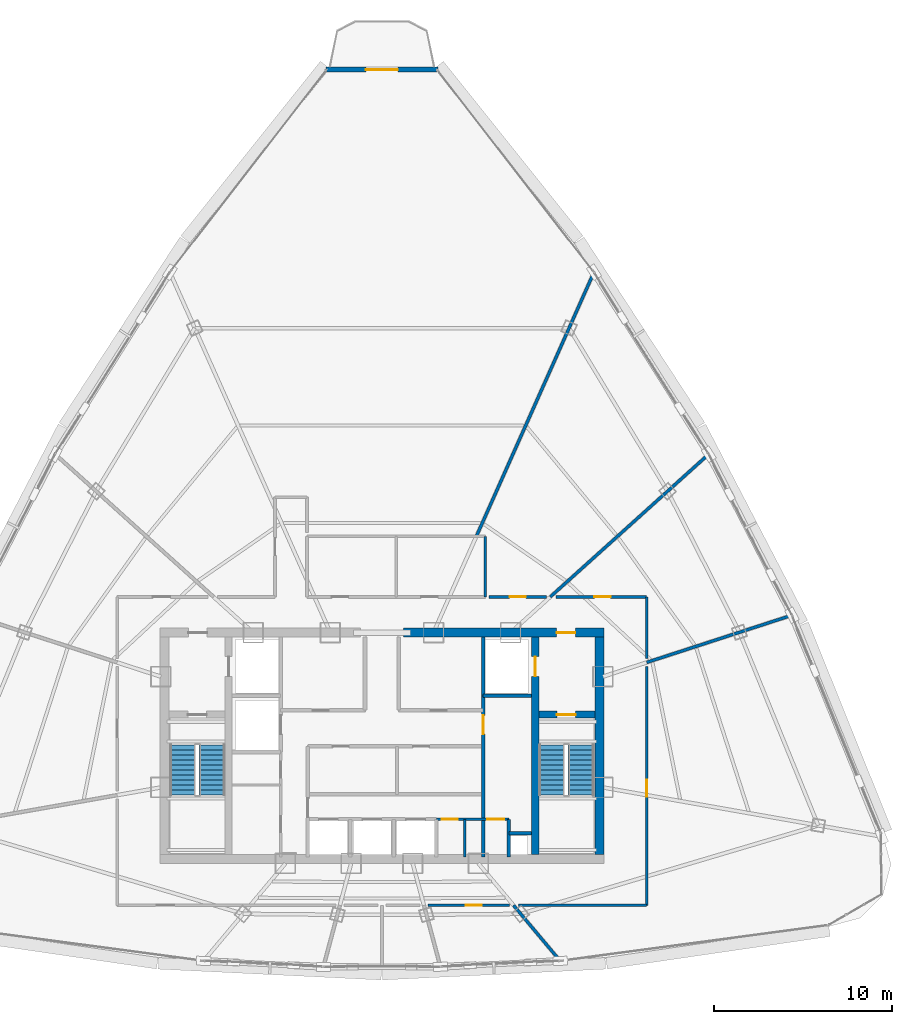
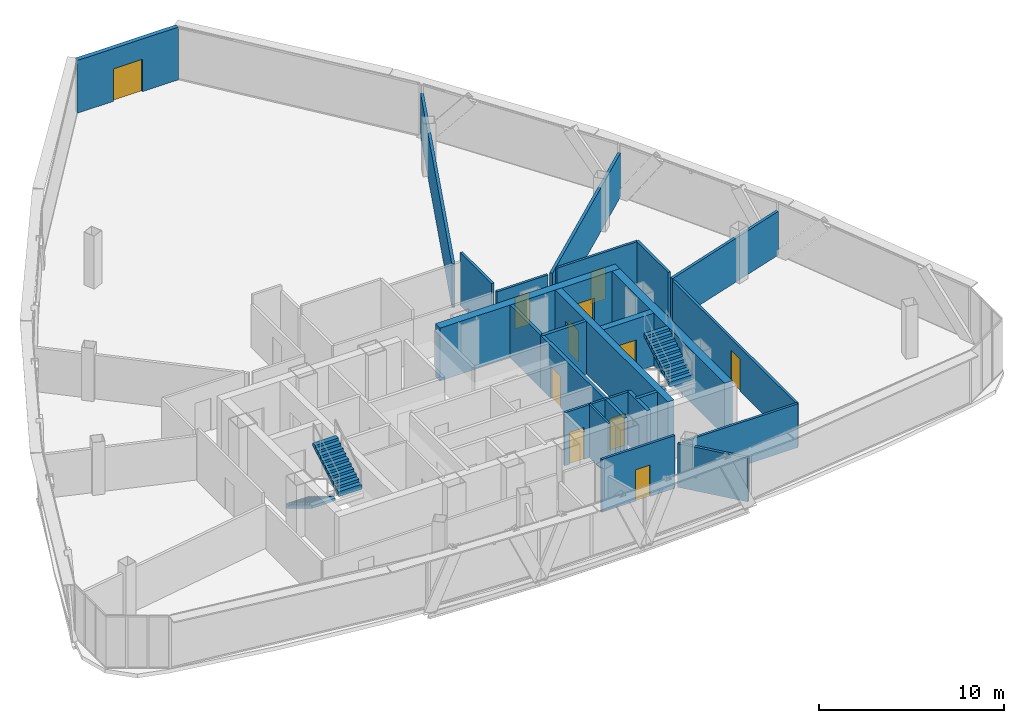
# One storey, part 24 of 28: 23 walls, 11 doors, 4 stair flights, 11 openings, 2 elements without a shape of their own.
"""IFC4 building model written with IfcOpenShell, lengths in metres."""

from ifc_helpers import new_model, si_unit, direction, frame, frame_2d, origin, origin_with_axes, place, context, subcontext, project, spatial, polyline, rectangle, outline, extrude, source, transform, mapped, material, layer, layer_set, type_object, element, fill, aggregate, save


model = new_model("IFC4")

# Units and contexts
model_context = context("Model", 3, precision=1e-05, world=origin(), true_north=direction((0.0, 1.0)))
body_context = subcontext(model_context, "Body", "Model", "MODEL_VIEW")
ifc_project = project(units=[si_unit("LENGTHUNIT", "METRE"), si_unit("AREAUNIT", "SQUARE_METRE"), si_unit("VOLUMEUNIT", "CUBIC_METRE"), si_unit("PLANEANGLEUNIT", "RADIAN"), si_unit("MASSUNIT", "GRAM", prefix="KILO"), si_unit("THERMODYNAMICTEMPERATUREUNIT", "KELVIN"), si_unit("POWERUNIT", "WATT")], contexts=[model_context])

# Site, building, storey
site_placement = place(None, origin())
site = spatial("IfcSite", under=ifc_project, at=site_placement, CompositionType="ELEMENT")
building_placement = place(site_placement, origin())
building = spatial("IfcBuilding", under=site, at=building_placement, Name="Yunzhuo Pagoda Commons", CompositionType="ELEMENT")
storey_placement = place(building_placement, frame((0.0, 0.0, 336.760009765625)))
storey = spatial("IfcBuildingStorey", under=building, at=storey_placement, Name="L84", CompositionType="ELEMENT", Elevation=336.760009765625)

# Wall, opening, door
ifc_material_1 = material(Name="Precast concrete C40", Category="concrete")
ifc_layer_1 = layer(ifc_material_1, 0.260009765625)
ifc_layer_set_1 = layer_set([ifc_layer_1], Name="Precast concrete C40")
wall_type_1 = type_object("IfcWallType", Name="W-BAL1 Corner Balcony Threshold Wall 260", PredefinedType="STANDARD", material=ifc_layer_set_1)
wall_1_placement = place(storey_placement, frame((51.146484375, 71.78125, 0.0), z_axis=(0.0, 0.0, 1.0), x_axis=(-1.0, 0.0, 0.0)))
wall_1 = element("IfcWall", 1, at=wall_1_placement, inside=storey, type_object=wall_type_1, Name="L84 corner balcony wall V3", PredefinedType="STANDARD", context=body_context, shape_type="SweptSolid", body=[
    extrude(rectangle(XDim=6.29296875, YDim=0.260009765625, at=frame_2d((3.146484375, 0.0))), origin(), (0.0, 0.0, 1.0), 3.489990234375),
])
opening_1_placement = place(wall_1_placement, frame((2.246337890625, 0.0, 0.0)))
opening_1 = element("IfcOpeningElement", 2, at=opening_1_placement, cuts=wall_1, Name="Opening D-BAL1", PredefinedType="OPENING", context=body_context, shape_type="SweptSolid", body=[
    extrude(rectangle(XDim=1.800048828125, YDim=2.14990234375, at=frame_2d((0.89990234375, 1.074951171875))), frame((0.0, 0.14013671875, 0.0), z_axis=(0.0, -1.0, 0.0), x_axis=(1.0, 0.0, 0.0)), (0.0, 0.0, 1.0), 0.280029296875),
])
ifc_material_2 = material(Name="Anodized aluminium frame and tempered glazed leaf", Category="aluminium")
door_type_1 = type_object("IfcDoorType", Name="D-BAL1 Corner Balcony Sliding Glazed Door 1800x2150", OperationType="DOUBLE_DOOR_SLIDING", PredefinedType="DOOR", material=ifc_material_2)
shared_shape_1 = source(origin(), body_context, "Body", "SweptSolid", [
    extrude(rectangle(XDim=1.800048828125, YDim=2.14990234375, at=frame_2d((0.89990234375, 1.074951171875))), frame((0.0, 0.02490234375, 0.0), z_axis=(0.0, -1.0, 0.0), x_axis=(1.0, 0.0, 0.0)), (0.0, 0.0, 1.0), 0.050048828125),
])
door_1_placement = place(opening_1_placement, origin_with_axes())
door_1 = element("IfcDoor", 3, at=door_1_placement, inside=storey, type_object=door_type_1, Name="L84 corner balcony sliding door V3", OperationType="DOUBLE_DOOR_SLIDING", OverallHeight=2.14990234375, OverallWidth=1.800048828125, PredefinedType="DOOR", context=body_context, shape_type="MappedRepresentation", body=[
    mapped(shared_shape_1, transform((0.0, 0.0, 0.0), scale=1.0)),
])
fill(opening_1, door_1)

ifc_material_3 = material(Name="Concrete C50", Category="concrete")
ifc_layer_2 = layer(ifc_material_3, 0.5)
ifc_layer_set_2 = layer_set([ifc_layer_2], Name="Concrete C50")
wall_type_2 = type_object("IfcWallType", Name="W-C03 Upper Core Shear Wall 500", PredefinedType="SHEAR", material=ifc_layer_set_2)
wall_2_placement = place(storey_placement, frame((49.199951171875, 40.199951171875, 0.0), z_axis=(0.0, 0.0, 1.0), x_axis=(1.0, 0.0, 0.0)))
wall_2 = element("IfcWall", 4, at=wall_2_placement, inside=storey, type_object=wall_type_2, Name="L84 core shear wall NE", PredefinedType="SHEAR", context=body_context, shape_type="SweptSolid", body=[
    extrude(rectangle(XDim=11.25, YDim=0.5, at=frame_2d((5.625, 0.0))), origin(), (0.0, 0.0, 1.0), 3.489990234375),
])
opening_2_placement = place(wall_2_placement, frame((8.60009765625, 0.0, 0.0)))
opening_2 = element("IfcOpeningElement", 5, at=opening_2_placement, cuts=wall_2, Name="Opening D-02", PredefinedType="OPENING", context=body_context, shape_type="SweptSolid", body=[
    extrude(rectangle(XDim=1.050048828125, YDim=2.10009765625, at=frame_2d((0.52490234375, 1.050048828125))), frame((0.0, 0.260009765625, 0.0), z_axis=(0.0, -1.0, 0.0), x_axis=(1.0, 0.0, 0.0)), (0.0, 0.0, 1.0), 0.52001953125),
])
ifc_material_4 = material(Name="Galvanized fire-resisting metal leaf")
door_type_2 = type_object("IfcDoorType", Name="D-02 Firefighting Lobby & Refuge Fire Door 1050x2100", OperationType="NOTDEFINED", PredefinedType="DOOR", material=ifc_material_4)
shared_shape_2 = source(origin(), body_context, "Body", "SweptSolid", [
    extrude(rectangle(XDim=1.050048828125, YDim=2.10009765625, at=frame_2d((0.52490234375, 1.050048828125))), frame((0.0, 0.02490234375, 0.0), z_axis=(0.0, -1.0, 0.0), x_axis=(1.0, 0.0, 0.0)), (0.0, 0.0, 1.0), 0.050048828125),
])
door_2_placement = place(opening_2_placement, frame((1.050048828125, 0.0, 0.0), z_axis=(0.0, 0.0, 1.0), x_axis=(-1.0, 0.0, 0.0)))
door_2 = element("IfcDoor", 6, at=door_2_placement, inside=storey, type_object=door_type_2, Name="L84 Firefighting Lobby 2 fire door", OperationType="SINGLE_SWING_RIGHT", OverallHeight=2.10009765625, OverallWidth=1.050048828125, PredefinedType="DOOR", context=body_context, shape_type="MappedRepresentation", body=[
    mapped(shared_shape_2, transform((0.0, 0.0, 0.0), scale=1.0)),
])
fill(opening_2, door_2)

# Wall
wall_3_placement = place(storey_placement, frame((60.199951171875, 27.75, 0.0), z_axis=(0.0, 0.0, 1.0), x_axis=(0.0, 1.0, 0.0)))
element("IfcWall", 7, at=wall_3_placement, inside=storey, type_object=wall_type_2, Name="L84 core shear wall E", PredefinedType="SHEAR", context=body_context, shape_type="SweptSolid", body=[
    extrude(rectangle(XDim=12.199951171875, YDim=0.5, at=frame_2d((6.10009765625, 0.0))), origin(), (0.0, 0.0, 1.0), 3.489990234375),
])

# Wall, openings, doors
ifc_material_5 = material(Name="Gypsum plasterboard on acoustic stud")
ifc_layer_3 = layer(ifc_material_5, 0.14990234375)
ifc_layer_set_3 = layer_set([ifc_layer_3], Name="Gypsum plasterboard on acoustic stud")
wall_type_3 = type_object("IfcWallType", Name="W-COR3 High-Zone Rated Corridor Wall 150", PredefinedType="PARTITIONING", material=ifc_layer_set_3)
wall_4_placement = place(storey_placement, frame((51.050048828125, 29.719970703125, 0.0), z_axis=(0.0, 0.0, 1.0), x_axis=(1.0, 0.0, 0.0)))
wall_4 = element("IfcWall", 8, at=wall_4_placement, inside=storey, type_object=wall_type_3, Name="L84 interior wall IW-L84-CSES", PredefinedType="PARTITIONING", context=body_context, shape_type="SweptSolid", body=[
    extrude(rectangle(XDim=4.070068359375, YDim=0.14990234375, at=frame_2d((2.03515625, 0.0))), origin(), (0.0, 0.0, 1.0), 3.489990234375),
])
opening_3_placement = place(wall_4_placement, frame((0.300048828125, 0.0, 0.0)))
opening_3 = element("IfcOpeningElement", 9, at=opening_3_placement, cuts=wall_4, Name="Opening D-03", PredefinedType="OPENING", context=body_context, shape_type="SweptSolid", body=[
    extrude(rectangle(XDim=0.89990234375, YDim=2.10009765625, at=frame_2d((0.449951171875, 1.050048828125))), frame((0.0, 0.0849609375, 0.0), z_axis=(0.0, -1.0, 0.0), x_axis=(1.0, 0.0, 0.0)), (0.0, 0.0, 1.0), 0.169921875),
])
opening_4_placement = place(wall_4_placement, frame((2.860107421875, 0.0, 0.0)))
opening_4 = element("IfcOpeningElement", 10, at=opening_4_placement, cuts=wall_4, Name="Opening D-11", PredefinedType="OPENING", context=body_context, shape_type="SweptSolid", body=[
    extrude(rectangle(XDim=0.93994140625, YDim=2.10009765625, at=frame_2d((0.469970703125, 1.050048828125))), frame((0.0, 0.0849609375, 0.0), z_axis=(0.0, -1.0, 0.0), x_axis=(1.0, 0.0, 0.0)), (0.0, 0.0, 1.0), 0.169921875),
])
door_type_3 = type_object("IfcDoorType", Name="D-03 Core Service Fire Door 900x2100", OperationType="NOTDEFINED", PredefinedType="DOOR", material=ifc_material_4)
shared_shape_3 = source(origin(), body_context, "Body", "SweptSolid", [
    extrude(rectangle(XDim=0.89990234375, YDim=2.10009765625, at=frame_2d((0.449951171875, 1.050048828125))), frame((0.0, 0.02490234375, 0.0), z_axis=(0.0, -1.0, 0.0), x_axis=(1.0, 0.0, 0.0)), (0.0, 0.0, 1.0), 0.050048828125),
])
door_3_placement = place(opening_3_placement, origin_with_axes())
door_3 = element("IfcDoor", 11, at=door_3_placement, inside=storey, type_object=door_type_3, Name="L84 cleaner door", OperationType="SINGLE_SWING_LEFT", OverallHeight=2.10009765625, OverallWidth=0.89990234375, PredefinedType="DOOR", context=body_context, shape_type="MappedRepresentation", body=[
    mapped(shared_shape_3, transform((0.0, 0.0, 0.0), scale=1.0)),
])
fill(opening_3, door_3)
door_type_4 = type_object("IfcDoorType", Name="D-11 Accessible Washroom Fire Door 940x2100", OperationType="NOTDEFINED", PredefinedType="DOOR", material=ifc_material_4)
shared_shape_4 = source(origin(), body_context, "Body", "SweptSolid", [
    extrude(rectangle(XDim=0.93994140625, YDim=2.10009765625, at=frame_2d((0.469970703125, 1.050048828125))), frame((0.0, 0.02490234375, 0.0), z_axis=(0.0, -1.0, 0.0), x_axis=(1.0, 0.0, 0.0)), (0.0, 0.0, 1.0), 0.050048828125),
])
door_4_placement = place(opening_4_placement, origin_with_axes())
door_4 = element("IfcDoor", 12, at=door_4_placement, inside=storey, type_object=door_type_4, Name="L84 core WC door", OperationType="SINGLE_SWING_RIGHT", OverallHeight=2.10009765625, OverallWidth=0.93994140625, PredefinedType="DOOR", context=body_context, shape_type="MappedRepresentation", body=[
    mapped(shared_shape_4, transform((0.0, 0.0, 0.0), scale=1.0)),
])
fill(opening_4, door_4)

# Wall
wall_5_placement = place(storey_placement, frame((53.800048828125, 42.199951171875, 0.0), z_axis=(0.0, 0.0, 1.0), x_axis=(0.0, 1.0, 0.0)))
element("IfcWall", 13, at=wall_5_placement, inside=storey, type_object=wall_type_3, Name="L84 interior wall IW-L84-TFEE", PredefinedType="PARTITIONING", context=body_context, shape_type="SweptSolid", body=[
    extrude(rectangle(XDim=3.400146484375, YDim=0.14990234375, at=frame_2d((1.7001953125, 0.0))), origin(), (0.0, 0.0, 1.0), 3.489990234375),
])

# Wall, opening, door
wall_6_placement = place(storey_placement, frame((54.02001953125, 42.199951171875, 0.0), z_axis=(0.0, 0.0, 1.0), x_axis=(1.0, 0.0, 0.0)))
wall_6 = element("IfcWall", 14, at=wall_6_placement, inside=storey, type_object=wall_type_3, Name="L84 interior wall IW-L84-CWL09", PredefinedType="PARTITIONING", context=body_context, shape_type="SweptSolid", body=[
    extrude(rectangle(XDim=3.200439453125, YDim=0.14990234375, at=frame_2d((1.60009765625, 0.0))), origin(), (0.0, 0.0, 1.0), 2.889892578125),
])
opening_5_placement = place(wall_6_placement, frame((1.14013671875, 0.0, 0.0)))
opening_5 = element("IfcOpeningElement", 15, at=opening_5_placement, cuts=wall_6, Name="Opening D-04", PredefinedType="OPENING", context=body_context, shape_type="SweptSolid", body=[
    extrude(rectangle(XDim=0.919921875, YDim=2.10009765625, at=frame_2d((0.4599609375, 1.050048828125))), frame((0.0, 0.0849609375, 0.0), z_axis=(0.0, -1.0, 0.0), x_axis=(1.0, 0.0, 0.0)), (0.0, 0.0, 1.0), 0.169921875),
])
ifc_material_6 = material(Name="Powder-coated aluminium and timber acoustic leaf", Category="wood")
door_type_5 = type_object("IfcDoorType", Name="D-04 Bedroom & Study Interior Door 920x2100", OperationType="NOTDEFINED", PredefinedType="DOOR", material=ifc_material_6)
shared_shape_5 = source(origin(), body_context, "Body", "SweptSolid", [
    extrude(rectangle(XDim=0.919921875, YDim=2.10009765625, at=frame_2d((0.4599609375, 1.050048828125))), frame((0.0, 0.02490234375, 0.0), z_axis=(0.0, -1.0, 0.0), x_axis=(1.0, 0.0, 0.0)), (0.0, 0.0, 1.0), 0.050048828125),
])
door_5_placement = place(opening_5_placement, origin_with_axes())
door_5 = element("IfcDoor", 16, at=door_5_placement, inside=storey, type_object=door_type_5, Name="L84 seminar room 02 door", OperationType="SINGLE_SWING_LEFT", OverallHeight=2.10009765625, OverallWidth=0.919921875, PredefinedType="DOOR", context=body_context, shape_type="MappedRepresentation", body=[
    mapped(shared_shape_5, transform((0.0, 0.0, 0.0), scale=1.0)),
])
fill(opening_5, door_5)

wall_7_placement = place(storey_placement, frame((57.76904296875, 42.199951171875, 0.0), z_axis=(0.0, 0.0, 1.0), x_axis=(1.0, 0.0, 0.0)))
wall_7 = element("IfcWall", 17, at=wall_7_placement, inside=storey, type_object=wall_type_3, Name="L84 interior wall IW-L84-CWL10", PredefinedType="PARTITIONING", context=body_context, shape_type="SweptSolid", body=[
    extrude(rectangle(XDim=5.0810546875, YDim=0.14990234375, at=frame_2d((2.54052734375, 0.0))), origin(), (0.0, 0.0, 1.0), 3.139892578125),
])
opening_6_placement = place(wall_7_placement, frame((2.14599609375, 0.0, 0.0)))
opening_6 = element("IfcOpeningElement", 18, at=opening_6_placement, cuts=wall_7, Name="Opening D-04", PredefinedType="OPENING", context=body_context, shape_type="SweptSolid", body=[
    extrude(rectangle(XDim=0.919921875, YDim=2.10009765625, at=frame_2d((0.4599609375, 1.050048828125))), frame((0.0, 0.0849609375, 0.0), z_axis=(0.0, -1.0, 0.0), x_axis=(1.0, 0.0, 0.0)), (0.0, 0.0, 1.0), 0.169921875),
])
door_6_placement = place(opening_6_placement, origin_with_axes())
door_6 = element("IfcDoor", 19, at=door_6_placement, inside=storey, type_object=door_type_5, Name="L84 seminar room 01 door", OperationType="SINGLE_SWING_RIGHT", OverallHeight=2.10009765625, OverallWidth=0.919921875, PredefinedType="DOOR", context=body_context, shape_type="MappedRepresentation", body=[
    mapped(shared_shape_5, transform((0.0, 0.0, 0.0), scale=1.0)),
])
fill(opening_6, door_6)

# Wall
wall_8_placement = place(storey_placement, frame((62.85009765625, 42.199951171875, 0.0), z_axis=(0.0, 0.0, 1.0), x_axis=(0.0, -1.0, 0.0)))
element("IfcWall", 20, at=wall_8_placement, inside=storey, type_object=wall_type_3, Name="L84 interior wall IW-L84-CWL11", PredefinedType="PARTITIONING", context=body_context, shape_type="SweptSolid", body=[
    extrude(rectangle(XDim=3.443603515625, YDim=0.14990234375, at=frame_2d((1.7216796875, 0.0))), origin(), (0.0, 0.0, 1.0), 3.139892578125),
])

# Wall, opening, door
wall_9_placement = place(storey_placement, frame((62.85009765625, 38.305419921875, 0.0), z_axis=(0.0, 0.0, 1.0), x_axis=(0.0, -1.0, 0.0)))
wall_9 = element("IfcWall", 21, at=wall_9_placement, inside=storey, type_object=wall_type_3, Name="L84 interior wall IW-L84-CWL12", PredefinedType="PARTITIONING", context=body_context, shape_type="SweptSolid", body=[
    extrude(rectangle(XDim=13.405517578125, YDim=0.14990234375, at=frame_2d((6.70263671875, 0.0))), origin(), (0.0, 0.0, 1.0), 2.889892578125),
])
opening_7_placement = place(wall_9_placement, frame((6.347900390625, 0.0, 0.0)))
opening_7 = element("IfcOpeningElement", 22, at=opening_7_placement, cuts=wall_9, Name="Opening D-08", PredefinedType="OPENING", context=body_context, shape_type="SweptSolid", body=[
    extrude(rectangle(XDim=0.97998046875, YDim=2.1201171875, at=frame_2d((0.489990234375, 1.06005859375))), frame((0.0, 0.0849609375, 0.0), z_axis=(0.0, -1.0, 0.0), x_axis=(1.0, 0.0, 0.0)), (0.0, 0.0, 1.0), 0.169921875),
])
door_type_6 = type_object("IfcDoorType", Name="D-08 High-Zone Suite Entrance Fire Door 980x2120", OperationType="NOTDEFINED", PredefinedType="DOOR", material=ifc_material_4)
shared_shape_6 = source(origin(), body_context, "Body", "SweptSolid", [
    extrude(rectangle(XDim=0.97998046875, YDim=2.1201171875, at=frame_2d((0.489990234375, 1.06005859375))), frame((0.0, 0.02490234375, 0.0), z_axis=(0.0, -1.0, 0.0), x_axis=(1.0, 0.0, 0.0)), (0.0, 0.0, 1.0), 0.050048828125),
])
door_7_placement = place(opening_7_placement, origin_with_axes())
door_7 = element("IfcDoor", 23, at=door_7_placement, inside=storey, type_object=door_type_6, Name="L84 Academic Reading Commons 2 door", OperationType="SINGLE_SWING_LEFT", OverallHeight=2.1201171875, OverallWidth=0.97998046875, PredefinedType="DOOR", context=body_context, shape_type="MappedRepresentation", body=[
    mapped(shared_shape_6, transform((0.0, 0.0, 0.0), scale=1.0)),
])
fill(opening_7, door_7)

# Wall
wall_10_placement = place(storey_placement, frame((62.85009765625, 24.89990234375, 0.0), z_axis=(0.0, 0.0, 1.0), x_axis=(-1.0, 0.0, 0.0)))
element("IfcWall", 24, at=wall_10_placement, inside=storey, type_object=wall_type_3, Name="L84 interior wall IW-L84-CWL13", PredefinedType="PARTITIONING", context=body_context, shape_type="SweptSolid", body=[
    extrude(rectangle(XDim=7.1787109375, YDim=0.14990234375, at=frame_2d((3.58935546875, 0.0))), origin(), (0.0, 0.0, 1.0), 2.889892578125),
])

# Wall, opening, door
wall_11_placement = place(storey_placement, frame((55.164306640625, 24.89990234375, 0.0), z_axis=(0.0, 0.0, 1.0), x_axis=(-1.0, 0.0, 0.0)))
wall_11 = element("IfcWall", 25, at=wall_11_placement, inside=storey, type_object=wall_type_3, Name="L84 interior wall IW-L84-CWL14", PredefinedType="PARTITIONING", context=body_context, shape_type="SweptSolid", body=[
    extrude(rectangle(XDim=4.57861328125, YDim=0.14990234375, at=frame_2d((2.289306640625, 0.0))), origin(), (0.0, 0.0, 1.0), 3.489990234375),
])
opening_8_placement = place(wall_11_placement, frame((1.565185546875, 0.0, 0.0)))
opening_8 = element("IfcOpeningElement", 26, at=opening_8_placement, cuts=wall_11, Name="Opening D-12", PredefinedType="OPENING", context=body_context, shape_type="SweptSolid", body=[
    extrude(rectangle(XDim=0.89990234375, YDim=2.080078125, at=frame_2d((0.449951171875, 1.0400390625))), frame((0.0, 0.0849609375, 0.0), z_axis=(0.0, -1.0, 0.0), x_axis=(1.0, 0.0, 0.0)), (0.0, 0.0, 1.0), 0.169921875),
])
door_type_7 = type_object("IfcDoorType", Name="D-12 Quiet Study Interior Door 900x2080", OperationType="NOTDEFINED", PredefinedType="DOOR", material=ifc_material_6)
shared_shape_7 = source(origin(), body_context, "Body", "SweptSolid", [
    extrude(rectangle(XDim=0.89990234375, YDim=2.080078125, at=frame_2d((0.449951171875, 1.0400390625))), frame((0.0, 0.02490234375, 0.0), z_axis=(0.0, -1.0, 0.0), x_axis=(1.0, 0.0, 0.0)), (0.0, 0.0, 1.0), 0.050048828125),
])
door_8_placement = place(opening_8_placement, origin_with_axes())
door_8 = element("IfcDoor", 27, at=door_8_placement, inside=storey, type_object=door_type_7, Name="L84 study lounge 09 door", OperationType="SINGLE_SWING_RIGHT", OverallHeight=2.080078125, OverallWidth=0.89990234375, PredefinedType="DOOR", context=body_context, shape_type="MappedRepresentation", body=[
    mapped(shared_shape_7, transform((0.0, 0.0, 0.0), scale=1.0)),
])
fill(opening_8, door_8)

# Walls
ifc_layer_4 = layer(ifc_material_5, 0.1201171875)
ifc_layer_set_4 = layer_set([ifc_layer_4], Name="Gypsum plasterboard on acoustic stud")
wall_type_4 = type_object("IfcWallType", Name="W-PRT1 Suite & Bathroom Partition 120", PredefinedType="PARTITIONING", material=ifc_layer_set_4)
wall_12_placement = place(storey_placement, frame((52.64990234375, 27.60009765625, 0.0), z_axis=(0.0, 0.0, 1.0), x_axis=(0.0, 1.0, 0.0)))
element("IfcWall", 28, at=wall_12_placement, inside=storey, type_object=wall_type_4, Name="L84 interior wall IW-L84-CD2", PredefinedType="PARTITIONING", context=body_context, shape_type="SweptSolid", body=[
    extrude(rectangle(XDim=2.119873046875, YDim=0.1201171875, at=frame_2d((1.06005859375, 0.0))), origin(), (0.0, 0.0, 1.0), 3.489990234375),
])
ifc_layer_5 = layer(ifc_material_5, 0.169921875)
ifc_layer_set_5 = layer_set([ifc_layer_5], Name="Gypsum plasterboard on acoustic stud")
wall_type_5 = type_object("IfcWallType", Name="W-PRT4 High-Zone Demising Wall 170", PredefinedType="PARTITIONING", material=ifc_layer_set_5)
wall_13_placement = place(storey_placement, frame((62.85009765625, 38.525146484375, 0.0), z_axis=(0.0, 0.0, 1.0), x_axis=(0.951059599238, 0.309007505891, 0.0)))
element("IfcWall", 29, at=wall_13_placement, inside=storey, type_object=wall_type_5, Name="L84 interior wall IW-L84-RAD01", PredefinedType="PARTITIONING", context=body_context, shape_type="SweptSolid", body=[
    extrude(rectangle(XDim=8.572265625, YDim=0.169921875, at=frame_2d((4.2861328125, 0.0))), origin(), (0.0, 0.0, 1.0), 2.889892578125),
])
wall_14_placement = place(storey_placement, frame((57.440185546875, 42.199951171875, 0.0), z_axis=(0.0, 0.0, 1.0), x_axis=(0.743141978473, 0.669133768264, 0.0)))
element("IfcWall", 30, at=wall_14_placement, inside=storey, type_object=wall_type_5, Name="L84 interior wall IW-L84-RAD02", PredefinedType="PARTITIONING", context=body_context, shape_type="SweptSolid", body=[
    extrude(rectangle(XDim=11.96826171875, YDim=0.169921875, at=frame_2d((5.984130859375, 0.0))), origin(), (0.0, 0.0, 1.0), 2.889892578125),
])
wall_15_placement = place(storey_placement, frame((53.298095703125, 45.60009765625, 0.0), z_axis=(0.0, 0.0, 1.0), x_axis=(0.40675009841, 0.913539466823, 0.0)))
element("IfcWall", 31, at=wall_15_placement, inside=storey, type_object=wall_type_5, Name="L84 interior wall IW-L84-RAD03", PredefinedType="PARTITIONING", context=body_context, shape_type="SweptSolid", body=[
    extrude(rectangle(XDim=16.21923828125, YDim=0.169921875, at=frame_2d((8.109619140625, 0.0))), origin(), (0.0, 0.0, 1.0), 2.889892578125),
])
wall_16_placement = place(storey_placement, frame((55.384033203125, 24.89990234375, 0.0), z_axis=(0.0, 0.0, 1.0), x_axis=(0.642829150269, -0.766009584512, 0.0)))
element("IfcWall", 32, at=wall_16_placement, inside=storey, type_object=wall_type_5, Name="L84 interior wall IW-L84-RAD10", PredefinedType="PARTITIONING", context=body_context, shape_type="SweptSolid", body=[
    extrude(rectangle(XDim=4.071044921875, YDim=0.169921875, at=frame_2d((2.03564453125, 0.0))), origin(), (0.0, 0.0, 1.0), 2.889892578125),
])

# Wall, opening, door
ifc_material_7 = material(Name="Concrete C60", Category="concrete")
ifc_layer_6 = layer(ifc_material_7, 0.39990234375)
ifc_layer_set_6 = layer_set([ifc_layer_6], Name="Concrete C60")
wall_type_6 = type_object("IfcWallType", Name="W-S01 Internal Core Shear Web 400", PredefinedType="SHEAR", material=ifc_layer_set_6)
wall_17_placement = place(storey_placement, frame((56.60009765625, 27.75, 0.0), z_axis=(0.0, 0.0, 1.0), x_axis=(0.0, 1.0, 0.0)))
wall_17 = element("IfcWall", 33, at=wall_17_placement, inside=storey, type_object=wall_type_6, Name="L84 core shear wall WEBE", PredefinedType="SHEAR", context=body_context, shape_type="SweptSolid", body=[
    extrude(rectangle(XDim=12.199951171875, YDim=0.39990234375, at=frame_2d((6.10009765625, 0.0))), origin(), (0.0, 0.0, 1.0), 3.489990234375),
])
opening_9_placement = place(wall_17_placement, frame((10.0, 0.0, 0.0)))
opening_9 = element("IfcOpeningElement", 34, at=opening_9_placement, cuts=wall_17, Name="Opening LD-01", PredefinedType="OPENING", context=body_context, shape_type="SweptSolid", body=[
    extrude(rectangle(XDim=1.10009765625, YDim=2.10009765625, at=frame_2d((0.550048828125, 1.050048828125))), frame((0.0, 0.2099609375, 0.0), z_axis=(0.0, -1.0, 0.0), x_axis=(1.0, 0.0, 0.0)), (0.0, 0.0, 1.0), 0.419921875),
])
door_type_8 = type_object("IfcDoorType", Name="LD-01 Firefighting Lift Landing Door 1100x2100", OperationType="DOUBLE_DOOR_SLIDING", PredefinedType="DOOR", material=ifc_material_4)
shared_shape_8 = source(origin(), body_context, "Body", "SweptSolid", [
    extrude(rectangle(XDim=1.10009765625, YDim=2.10009765625, at=frame_2d((0.550048828125, 1.050048828125))), frame((0.0, 0.02490234375, 0.0), z_axis=(0.0, -1.0, 0.0), x_axis=(1.0, 0.0, 0.0)), (0.0, 0.0, 1.0), 0.050048828125),
])
door_9_placement = place(opening_9_placement, origin_with_axes())
door_9 = element("IfcDoor", 35, at=door_9_placement, inside=storey, type_object=door_type_8, Name="L84 Firefighting lift FL-2 landing door", OperationType="DOUBLE_DOOR_SLIDING", OverallHeight=2.10009765625, OverallWidth=1.10009765625, PredefinedType="DOOR", context=body_context, shape_type="MappedRepresentation", body=[
    mapped(shared_shape_8, transform((0.0, 0.0, 0.0), scale=1.0)),
])
fill(opening_9, door_9)

wall_18_placement = place(storey_placement, frame((56.800048828125, 35.60009765625, 0.0), z_axis=(0.0, 0.0, 1.0), x_axis=(1.0, 0.0, 0.0)))
wall_18 = element("IfcWall", 36, at=wall_18_placement, inside=storey, type_object=wall_type_6, Name="L84 core shear wall STE", PredefinedType="SHEAR", context=body_context, shape_type="SweptSolid", body=[
    extrude(rectangle(XDim=3.14990234375, YDim=0.39990234375, at=frame_2d((1.574951171875, 0.0))), origin(), (0.0, 0.0, 1.0), 3.489990234375),
])
opening_10_placement = place(wall_18_placement, frame((1.02001953125, 0.0, 0.0)))
opening_10 = element("IfcOpeningElement", 37, at=opening_10_placement, cuts=wall_18, Name="Opening D-01", PredefinedType="OPENING", context=body_context, shape_type="SweptSolid", body=[
    extrude(rectangle(XDim=1.050048828125, YDim=2.10009765625, at=frame_2d((0.52490234375, 1.050048828125))), frame((0.0, 0.2099609375, 0.0), z_axis=(0.0, -1.0, 0.0), x_axis=(1.0, 0.0, 0.0)), (0.0, 0.0, 1.0), 0.419921875),
])
door_type_9 = type_object("IfcDoorType", Name="D-01 Smokeproof Stair Fire Door 1050x2100", OperationType="NOTDEFINED", PredefinedType="DOOR", material=ifc_material_4)
door_10_placement = place(opening_10_placement, frame((1.050048828125, 0.0, 0.0), z_axis=(0.0, 0.0, 1.0), x_axis=(-1.0, 0.0, 0.0)))
door_10 = element("IfcDoor", 38, at=door_10_placement, inside=storey, type_object=door_type_9, Name="L84 Stair ST2 fire door", OperationType="SINGLE_SWING_RIGHT", OverallHeight=2.10009765625, OverallWidth=1.050048828125, PredefinedType="DOOR", context=body_context, shape_type="MappedRepresentation", body=[
    mapped(shared_shape_2, transform((0.0, 0.0, 0.0), scale=1.0)),
])
fill(opening_10, door_10)

# Walls
ifc_material_8 = material(Name="Concrete C40", Category="concrete")
ifc_layer_7 = layer(ifc_material_8, 0.199951171875)
ifc_layer_set_7 = layer_set([ifc_layer_7], Name="Concrete C40")
wall_type_7 = type_object("IfcWallType", Name="W-SHF Shaft & Stair Enclosure Wall 200", PredefinedType="SOLIDWALL", material=ifc_layer_set_7)
wall_19_placement = place(storey_placement, frame((53.679931640625, 36.64990234375, 0.0), z_axis=(0.0, 0.0, 1.0), x_axis=(0.0, 1.0, 0.0)))
element("IfcWall", 39, at=wall_19_placement, inside=storey, type_object=wall_type_7, Name="L84 interior wall IW-L84-FL2W", PredefinedType="SOLIDWALL", context=body_context, shape_type="SweptSolid", body=[
    extrude(rectangle(XDim=3.300048828125, YDim=0.199951171875, at=frame_2d((1.64990234375, 0.0))), origin(), (0.0, 0.0, 1.0), 3.489990234375),
])
wall_20_placement = place(storey_placement, frame((53.679931640625, 36.64990234375, 0.0), z_axis=(0.0, 0.0, 1.0), x_axis=(1.0, 0.0, 0.0)))
element("IfcWall", 40, at=wall_20_placement, inside=storey, type_object=wall_type_7, Name="L84 interior wall IW-L84-FL2S", PredefinedType="SOLIDWALL", context=body_context, shape_type="SweptSolid", body=[
    extrude(rectangle(XDim=2.719970703125, YDim=0.199951171875, at=frame_2d((1.35986328125, 0.0))), origin(), (0.0, 0.0, 1.0), 3.489990234375),
])

# Wall, opening, door
wall_21_placement = place(storey_placement, frame((53.679931640625, 27.60009765625, 0.0), z_axis=(0.0, 0.0, 1.0), x_axis=(0.0, 1.0, 0.0)))
wall_21 = element("IfcWall", 41, at=wall_21_placement, inside=storey, type_object=wall_type_7, Name="L84 interior wall IW-L84-PLME", PredefinedType="SOLIDWALL", context=body_context, shape_type="SweptSolid", body=[
    extrude(rectangle(XDim=9.0498046875, YDim=0.199951171875, at=frame_2d((4.52490234375, 0.0))), origin(), (0.0, 0.0, 1.0), 3.489990234375),
])
opening_11_placement = place(wall_21_placement, frame((6.89990234375, 0.0, 0.0)))
opening_11 = element("IfcOpeningElement", 42, at=opening_11_placement, cuts=wall_21, Name="Opening D-02", PredefinedType="OPENING", context=body_context, shape_type="SweptSolid", body=[
    extrude(rectangle(XDim=1.050048828125, YDim=2.10009765625, at=frame_2d((0.52490234375, 1.050048828125))), frame((0.0, 0.10986328125, 0.0), z_axis=(0.0, -1.0, 0.0), x_axis=(1.0, 0.0, 0.0)), (0.0, 0.0, 1.0), 0.219970703125),
])
door_11_placement = place(opening_11_placement, origin_with_axes())
door_11 = element("IfcDoor", 43, at=door_11_placement, inside=storey, type_object=door_type_2, Name="L84 High-bank lift hall door", OperationType="SINGLE_SWING_RIGHT", OverallHeight=2.10009765625, OverallWidth=1.050048828125, PredefinedType="DOOR", context=body_context, shape_type="MappedRepresentation", body=[
    mapped(shared_shape_2, transform((0.0, 0.0, 0.0), scale=1.0)),
])
fill(opening_11, door_11)

# Walls
wall_22_placement = place(storey_placement, frame((55.1201171875, 27.60009765625, 0.0), z_axis=(0.0, 0.0, 1.0), x_axis=(0.0, 1.0, 0.0)))
element("IfcWall", 44, at=wall_22_placement, inside=storey, type_object=wall_type_7, Name="L84 interior wall IW-L84-RSHFW", PredefinedType="SOLIDWALL", context=body_context, shape_type="SweptSolid", body=[
    extrude(rectangle(XDim=2.119873046875, YDim=0.199951171875, at=frame_2d((1.06005859375, 0.0))), origin(), (0.0, 0.0, 1.0), 3.489990234375),
])
wall_23_placement = place(storey_placement, frame((55.1201171875, 28.949951171875, 0.0), z_axis=(0.0, 0.0, 1.0), x_axis=(1.0, 0.0, 0.0)))
element("IfcWall", 45, at=wall_23_placement, inside=storey, type_object=wall_type_7, Name="L84 interior wall IW-L84-RSHFN", PredefinedType="SOLIDWALL", context=body_context, shape_type="SweptSolid", body=[
    extrude(rectangle(XDim=1.27978515625, YDim=0.199951171875, at=frame_2d((0.639892578125, 0.0))), origin(), (0.0, 0.0, 1.0), 3.489990234375),
])

# Stair, stair flights
stair_type_1 = type_object("IfcStairType", Name="ST-C1 Core Smokeproof Stair ST1", PredefinedType="HALF_TURN_STAIR", material=ifc_material_8)
stair_1_placement = place(storey_placement, origin())
stair_1 = element("IfcStair", 46, at=stair_1_placement, inside=storey, type_object=stair_type_1, Name="L84 Core smokeproof stair ST1", PredefinedType="HALF_TURN_STAIR")
stair_flight_type_1 = type_object("IfcStairFlightType", Name="STF-C1 Core Stair Flight 1450", PredefinedType="STRAIGHT", material=ifc_material_8)
shared_shape_9 = source(origin(), body_context, "Body", "SweptSolid", [
    extrude(outline(polyline([(0.0, -0.14990234375), (0.0, 0.0), (0.0, 0.17041015625), (0.280029296875, 0.17041015625), (0.280029296875, 0.3408203125), (0.56005859375, 0.3408203125), (0.56005859375, 0.511474609375), (0.840087890625, 0.511474609375), (0.840087890625, 0.681884765625), (1.1201171875, 0.681884765625), (1.1201171875, 0.852294921875), (1.39990234375, 0.852294921875), (1.39990234375, 1.022705078125), (1.679931640625, 1.022705078125), (1.679931640625, 1.193115234375), (1.9599609375, 1.193115234375), (1.9599609375, 1.363525390625), (2.239990234375, 1.363525390625), (2.239990234375, 1.5341796875), (2.52001953125, 1.5341796875), (2.52001953125, 1.70458984375), (2.800048828125, 1.70458984375), (2.800048828125, 1.875), (2.800048828125, 1.529052734375), (0.288330078125, 0.0), (0.050048828125, -0.14990234375), (0.0, -0.14990234375)])), frame((0.0, 0.72509765625, 0.0), z_axis=(0.0, -1.0, 0.0), x_axis=(1.0, 0.0, 0.0)), (0.0, 0.0, 1.0), 1.449951171875),
])
stair_flight_1_placement = place(storey_placement, frame((36.824951171875, 33.89990234375, 0.0), z_axis=(0.0, 0.0, 1.0), x_axis=(0.0, -1.0, 0.0)))
stair_flight_1 = element("IfcStairFlight", 47, at=stair_flight_1_placement, type_object=stair_flight_type_1, Name="ST1 flight 1", NumberOfRisers=11, NumberOfTreads=10, PredefinedType="STRAIGHT", RiserHeight=0.170454545, TreadLength=0.28, context=body_context, shape_type="MappedRepresentation", body=[
    mapped(shared_shape_9, transform((0.0, 0.0, 0.0), scale=1.0)),
])
stair_flight_2_placement = place(storey_placement, frame((38.47509765625, 31.10009765625, 1.875), z_axis=(0.0, 0.0, 1.0), x_axis=(0.0, 1.0, 0.0)))
stair_flight_2 = element("IfcStairFlight", 48, at=stair_flight_2_placement, type_object=stair_flight_type_1, Name="ST1 flight 2", NumberOfRisers=11, NumberOfTreads=10, PredefinedType="STRAIGHT", RiserHeight=0.170454545, TreadLength=0.28, context=body_context, shape_type="MappedRepresentation", body=[
    mapped(shared_shape_9, transform((0.0, 0.0, 0.0), scale=1.0)),
])
aggregate(stair_1, [stair_flight_1, stair_flight_2])

stair_type_2 = type_object("IfcStairType", Name="ST-C2 Core Smokeproof Stair ST2", PredefinedType="HALF_TURN_STAIR", material=ifc_material_8)
stair_2_placement = place(storey_placement, origin())
stair_2 = element("IfcStair", 49, at=stair_2_placement, inside=storey, type_object=stair_type_2, Name="L84 Core smokeproof stair ST2", PredefinedType="HALF_TURN_STAIR")
stair_flight_type_2 = type_object("IfcStairFlightType", Name="STF-C2 Core Stair Flight 1460", PredefinedType="STRAIGHT", material=ifc_material_8)
stair_flight_3_placement = place(storey_placement, frame((57.52490234375, 33.89990234375, 0.0), z_axis=(0.0, 0.0, 1.0), x_axis=(0.0, -1.0, 0.0)))
stair_flight_3 = element("IfcStairFlight", 50, at=stair_flight_3_placement, type_object=stair_flight_type_2, Name="ST2 flight 1", NumberOfRisers=11, NumberOfTreads=10, PredefinedType="STRAIGHT", RiserHeight=0.170454545, TreadLength=0.28, context=body_context, shape_type="MappedRepresentation", body=[
    mapped(shared_shape_9, transform((0.0, 0.0, 0.0), scale=1.0)),
])
stair_flight_4_placement = place(storey_placement, frame((59.175048828125, 31.10009765625, 1.875), z_axis=(0.0, 0.0, 1.0), x_axis=(0.0, 1.0, 0.0)))
stair_flight_4 = element("IfcStairFlight", 51, at=stair_flight_4_placement, type_object=stair_flight_type_2, Name="ST2 flight 2", NumberOfRisers=11, NumberOfTreads=10, PredefinedType="STRAIGHT", RiserHeight=0.170454545, TreadLength=0.28, context=body_context, shape_type="MappedRepresentation", body=[
    mapped(shared_shape_9, transform((0.0, 0.0, 0.0), scale=1.0)),
])
aggregate(stair_2, [stair_flight_3, stair_flight_4])

save(model, "model.ifc")
